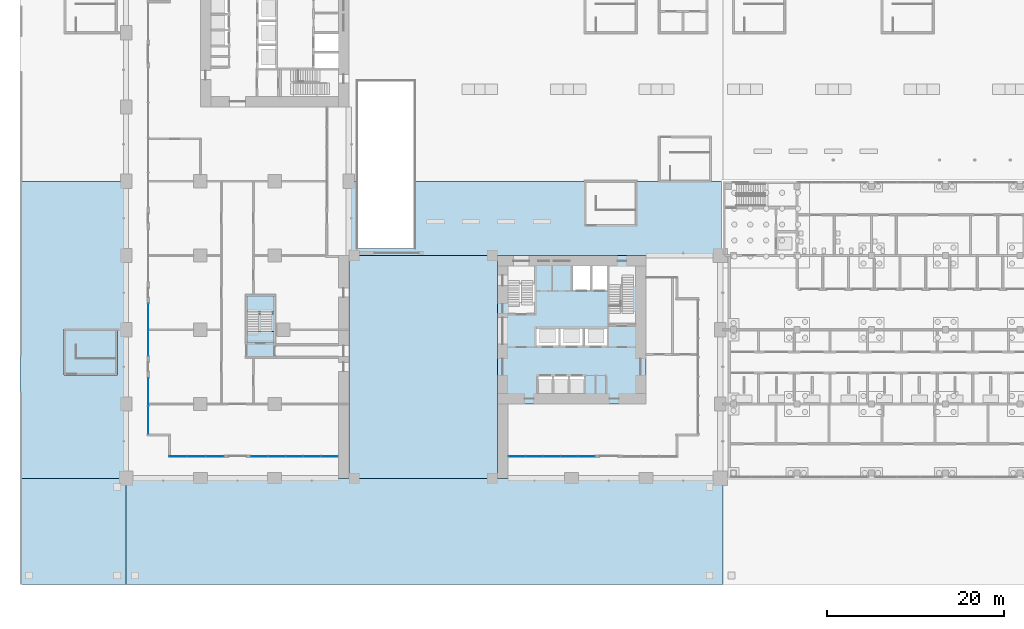
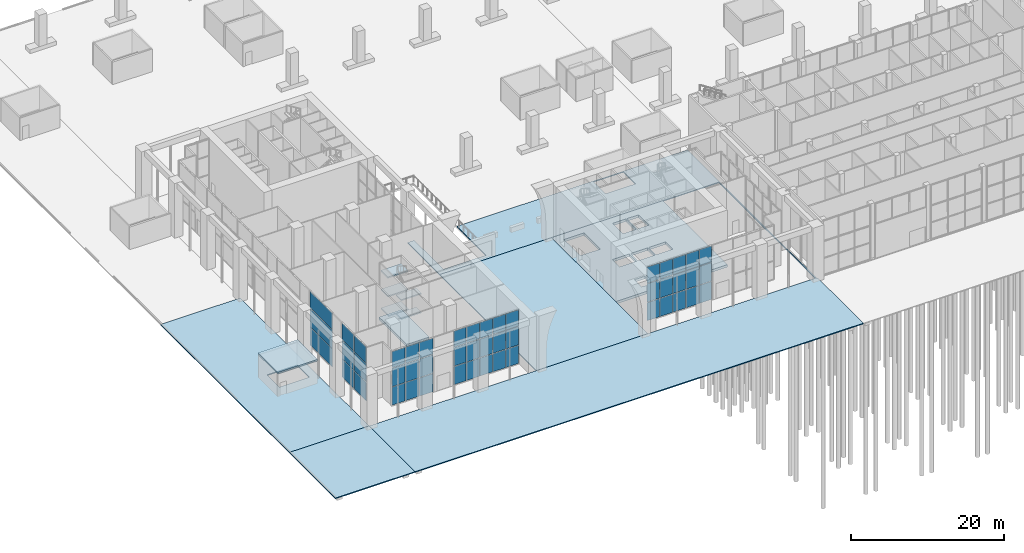
# One storey, part 13 of 46: 48 plates, 13 slabs, 6 elements without a shape of their own.
"""IFC4 building model written with IfcOpenShell, lengths in metres."""

from ifc_helpers import new_model, si_unit, direction, frame, origin, origin_2d, place, context, subcontext, project, spatial, polyline, rectangle, outline, extrude, material, layer, layer_set, type_object, element, aggregate, save


model = new_model("IFC4")

# Units and contexts
model_context = context("Model", 3, precision=1e-05, world=origin(), true_north=direction((0.0, 1.0)))
body_context = subcontext(model_context, "Body", "Model", "MODEL_VIEW")
ifc_project = project(units=[si_unit("LENGTHUNIT", "METRE"), si_unit("AREAUNIT", "SQUARE_METRE"), si_unit("VOLUMEUNIT", "CUBIC_METRE"), si_unit("PLANEANGLEUNIT", "RADIAN"), si_unit("MASSUNIT", "GRAM", prefix="KILO")], contexts=[model_context])

# Site, building, storey
site_placement = place(None, origin())
site = spatial("IfcSite", under=ifc_project, at=site_placement, CompositionType="ELEMENT")
building_placement = place(site_placement, origin())
building = spatial("IfcBuilding", under=site, at=building_placement, Name="Vermilion Gate Residences", CompositionType="ELEMENT")
storey_placement = place(building_placement, origin())
storey = spatial("IfcBuildingStorey", under=building, at=storey_placement, Name="L00", CompositionType="ELEMENT", Elevation=0.0)

# Slab
ifc_material_1 = material(Name="Concrete C30", Category="concrete")
ifc_layer_1 = layer(ifc_material_1, 0.25)
ifc_layer_set_1 = layer_set([ifc_layer_1], Name="HOUSE ROOF 250 (AMENITY)")
slab_type_1 = type_object("IfcSlabType", Name="HOUSE ROOF 250 (AMENITY)", PredefinedType="ROOF", material=ifc_layer_set_1)
slab_1_placement = place(storey_placement, frame((0.0, 0.0, 3.60009765625)))
element("IfcSlab", 1, at=slab_1_placement, inside=storey, type_object=slab_type_1, Name="House roof 1", PredefinedType="ROOF", context=body_context, shape_type="SweptSolid", body=[
    extrude(outline(polyline([(-1.0, 11.699951171875), (-7.0, 11.699951171875), (-7.0, 16.89990234375), (-1.0, 16.89990234375), (-1.0, 11.699951171875)])), origin(), (0.0, 0.0, 1.0), 0.25),
])

# Curtain wall, plates
ifc_material_2 = material(Name="Aluminium and glass", Category="aluminium")
curtain_wall_type_1 = type_object("IfcCurtainWallType", Name="LOBBY ENTRANCE GLAZING CURTAIN WALL", PredefinedType="NOTDEFINED", material=ifc_material_2)
curtain_wall_1_placement = place(storey_placement, origin())
curtain_wall_1 = element("IfcCurtainWall", 2, at=curtain_wall_1_placement, inside=storey, type_object=curtain_wall_type_1, Name="Lobby Entrance Glazing 60", PredefinedType="NOTDEFINED")
ifc_material_3 = material(Name="Low-iron laminated glass", Category="glass")
ifc_layer_2 = layer(ifc_material_3, 0.035888671875)
ifc_layer_set_2 = layer_set([ifc_layer_2], Name="LOBBY ENTRANCE GLAZING GLASS PANEL 36")
plate_type_1 = type_object("IfcPlateType", Name="LOBBY ENTRANCE GLAZING GLASS PANEL 36", PredefinedType="CURTAIN_PANEL", material=ifc_layer_set_2)
plate_1_placement = place(storey_placement, frame((5.8701171875, 2.5, 0.080078125), z_axis=(0.0, 0.0, 1.0), x_axis=(1.0, 0.0, 0.0)))
plate_1 = element("IfcPlate", 3, at=plate_1_placement, type_object=plate_type_1, Name="ECW5 panel 1.1", PredefinedType="CURTAIN_PANEL", context=body_context, shape_type="SweptSolid", body=[
    extrude(rectangle(XDim=1.97998046875, YDim=0.035888671875, at=origin_2d()), origin(), (0.0, 0.0, 1.0), 2.8798828125),
])
plate_2_placement = place(storey_placement, frame((5.8701171875, 2.5, 3.0400390625), z_axis=(0.0, 0.0, 1.0), x_axis=(1.0, 0.0, 0.0)))
plate_2 = element("IfcPlate", 4, at=plate_2_placement, type_object=plate_type_1, Name="ECW5 panel 1.2", PredefinedType="CURTAIN_PANEL", context=body_context, shape_type="SweptSolid", body=[
    extrude(rectangle(XDim=1.97998046875, YDim=0.035888671875, at=origin_2d()), origin(), (0.0, 0.0, 1.0), 2.919921875),
])
plate_3_placement = place(storey_placement, frame((5.8701171875, 2.5, 6.0400390625), z_axis=(0.0, 0.0, 1.0), x_axis=(1.0, 0.0, 0.0)))
plate_3 = element("IfcPlate", 5, at=plate_3_placement, type_object=plate_type_1, Name="ECW5 panel 1.3", PredefinedType="CURTAIN_PANEL", context=body_context, shape_type="SweptSolid", body=[
    extrude(rectangle(XDim=1.97998046875, YDim=0.035888671875, at=origin_2d()), origin(), (0.0, 0.0, 1.0), 2.580078125),
])
plate_4_placement = place(storey_placement, frame((7.949951171875, 2.5, 0.080078125), z_axis=(0.0, 0.0, 1.0), x_axis=(1.0, 0.0, 0.0)))
plate_4 = element("IfcPlate", 6, at=plate_4_placement, type_object=plate_type_1, Name="ECW5 panel 2.1", PredefinedType="CURTAIN_PANEL", context=body_context, shape_type="SweptSolid", body=[
    extrude(rectangle(XDim=2.02001953125, YDim=0.035888671875, at=origin_2d()), origin(), (0.0, 0.0, 1.0), 2.8798828125),
])
plate_5_placement = place(storey_placement, frame((7.949951171875, 2.5, 3.0400390625), z_axis=(0.0, 0.0, 1.0), x_axis=(1.0, 0.0, 0.0)))
plate_5 = element("IfcPlate", 7, at=plate_5_placement, type_object=plate_type_1, Name="ECW5 panel 2.2", PredefinedType="CURTAIN_PANEL", context=body_context, shape_type="SweptSolid", body=[
    extrude(rectangle(XDim=2.02001953125, YDim=0.035888671875, at=origin_2d()), origin(), (0.0, 0.0, 1.0), 2.919921875),
])
plate_6_placement = place(storey_placement, frame((7.949951171875, 2.5, 6.0400390625), z_axis=(0.0, 0.0, 1.0), x_axis=(1.0, 0.0, 0.0)))
plate_6 = element("IfcPlate", 8, at=plate_6_placement, type_object=plate_type_1, Name="ECW5 panel 2.3", PredefinedType="CURTAIN_PANEL", context=body_context, shape_type="SweptSolid", body=[
    extrude(rectangle(XDim=2.02001953125, YDim=0.035888671875, at=origin_2d()), origin(), (0.0, 0.0, 1.0), 2.580078125),
])
plate_7_placement = place(storey_placement, frame((10.030029296875, 2.5, 0.080078125), z_axis=(0.0, 0.0, 1.0), x_axis=(1.0, 0.0, 0.0)))
plate_7 = element("IfcPlate", 9, at=plate_7_placement, type_object=plate_type_1, Name="ECW5 panel 3.1", PredefinedType="CURTAIN_PANEL", context=body_context, shape_type="SweptSolid", body=[
    extrude(rectangle(XDim=1.97998046875, YDim=0.035888671875, at=origin_2d()), origin(), (0.0, 0.0, 1.0), 2.8798828125),
])
plate_8_placement = place(storey_placement, frame((10.030029296875, 2.5, 3.0400390625), z_axis=(0.0, 0.0, 1.0), x_axis=(1.0, 0.0, 0.0)))
plate_8 = element("IfcPlate", 10, at=plate_8_placement, type_object=plate_type_1, Name="ECW5 panel 3.2", PredefinedType="CURTAIN_PANEL", context=body_context, shape_type="SweptSolid", body=[
    extrude(rectangle(XDim=1.97998046875, YDim=0.035888671875, at=origin_2d()), origin(), (0.0, 0.0, 1.0), 2.919921875),
])
plate_9_placement = place(storey_placement, frame((10.030029296875, 2.5, 6.0400390625), z_axis=(0.0, 0.0, 1.0), x_axis=(1.0, 0.0, 0.0)))
plate_9 = element("IfcPlate", 11, at=plate_9_placement, type_object=plate_type_1, Name="ECW5 panel 3.3", PredefinedType="CURTAIN_PANEL", context=body_context, shape_type="SweptSolid", body=[
    extrude(rectangle(XDim=1.97998046875, YDim=0.035888671875, at=origin_2d()), origin(), (0.0, 0.0, 1.0), 2.580078125),
])
aggregate(curtain_wall_1, [plate_1, plate_2, plate_3, plate_4, plate_5, plate_6, plate_7, plate_8, plate_9])

curtain_wall_2_placement = place(storey_placement, origin())
curtain_wall_2 = element("IfcCurtainWall", 12, at=curtain_wall_2_placement, inside=storey, type_object=curtain_wall_type_1, Name="Lobby Entrance Glazing 62", PredefinedType="NOTDEFINED")
plate_10_placement = place(storey_placement, frame((15.110107421875, 2.5, 0.080078125), z_axis=(0.0, 0.0, 1.0), x_axis=(1.0, 0.0, 0.0)))
plate_10 = element("IfcPlate", 13, at=plate_10_placement, type_object=plate_type_1, Name="ECW5 panel 1.1", PredefinedType="CURTAIN_PANEL", context=body_context, shape_type="SweptSolid", body=[
    extrude(rectangle(XDim=1.860107421875, YDim=0.035888671875, at=origin_2d()), origin(), (0.0, 0.0, 1.0), 2.8798828125),
])
plate_11_placement = place(storey_placement, frame((15.110107421875, 2.5, 3.0400390625), z_axis=(0.0, 0.0, 1.0), x_axis=(1.0, 0.0, 0.0)))
plate_11 = element("IfcPlate", 14, at=plate_11_placement, type_object=plate_type_1, Name="ECW5 panel 1.2", PredefinedType="CURTAIN_PANEL", context=body_context, shape_type="SweptSolid", body=[
    extrude(rectangle(XDim=1.860107421875, YDim=0.035888671875, at=origin_2d()), origin(), (0.0, 0.0, 1.0), 2.919921875),
])
plate_12_placement = place(storey_placement, frame((15.110107421875, 2.5, 6.0400390625), z_axis=(0.0, 0.0, 1.0), x_axis=(1.0, 0.0, 0.0)))
plate_12 = element("IfcPlate", 15, at=plate_12_placement, type_object=plate_type_1, Name="ECW5 panel 1.3", PredefinedType="CURTAIN_PANEL", context=body_context, shape_type="SweptSolid", body=[
    extrude(rectangle(XDim=1.860107421875, YDim=0.035888671875, at=origin_2d()), origin(), (0.0, 0.0, 1.0), 2.580078125),
])
plate_13_placement = place(storey_placement, frame((17.070068359375, 2.5, 0.080078125), z_axis=(0.0, 0.0, 1.0), x_axis=(1.0, 0.0, 0.0)))
plate_13 = element("IfcPlate", 16, at=plate_13_placement, type_object=plate_type_1, Name="ECW5 panel 2.1", PredefinedType="CURTAIN_PANEL", context=body_context, shape_type="SweptSolid", body=[
    extrude(rectangle(XDim=1.89990234375, YDim=0.035888671875, at=origin_2d()), origin(), (0.0, 0.0, 1.0), 2.8798828125),
])
plate_14_placement = place(storey_placement, frame((17.070068359375, 2.5, 3.0400390625), z_axis=(0.0, 0.0, 1.0), x_axis=(1.0, 0.0, 0.0)))
plate_14 = element("IfcPlate", 17, at=plate_14_placement, type_object=plate_type_1, Name="ECW5 panel 2.2", PredefinedType="CURTAIN_PANEL", context=body_context, shape_type="SweptSolid", body=[
    extrude(rectangle(XDim=1.89990234375, YDim=0.035888671875, at=origin_2d()), origin(), (0.0, 0.0, 1.0), 2.919921875),
])
plate_15_placement = place(storey_placement, frame((17.070068359375, 2.5, 6.0400390625), z_axis=(0.0, 0.0, 1.0), x_axis=(1.0, 0.0, 0.0)))
plate_15 = element("IfcPlate", 18, at=plate_15_placement, type_object=plate_type_1, Name="ECW5 panel 2.3", PredefinedType="CURTAIN_PANEL", context=body_context, shape_type="SweptSolid", body=[
    extrude(rectangle(XDim=1.89990234375, YDim=0.035888671875, at=origin_2d()), origin(), (0.0, 0.0, 1.0), 2.580078125),
])
plate_16_placement = place(storey_placement, frame((19.050048828125, 2.5, 0.080078125), z_axis=(0.0, 0.0, 1.0), x_axis=(1.0, 0.0, 0.0)))
plate_16 = element("IfcPlate", 19, at=plate_16_placement, type_object=plate_type_1, Name="ECW5 panel 3.1", PredefinedType="CURTAIN_PANEL", context=body_context, shape_type="SweptSolid", body=[
    extrude(rectangle(XDim=1.89990234375, YDim=0.035888671875, at=origin_2d()), origin(), (0.0, 0.0, 1.0), 2.8798828125),
])
plate_17_placement = place(storey_placement, frame((19.050048828125, 2.5, 3.0400390625), z_axis=(0.0, 0.0, 1.0), x_axis=(1.0, 0.0, 0.0)))
plate_17 = element("IfcPlate", 20, at=plate_17_placement, type_object=plate_type_1, Name="ECW5 panel 3.2", PredefinedType="CURTAIN_PANEL", context=body_context, shape_type="SweptSolid", body=[
    extrude(rectangle(XDim=1.89990234375, YDim=0.035888671875, at=origin_2d()), origin(), (0.0, 0.0, 1.0), 2.919921875),
])
plate_18_placement = place(storey_placement, frame((19.050048828125, 2.5, 6.0400390625), z_axis=(0.0, 0.0, 1.0), x_axis=(1.0, 0.0, 0.0)))
plate_18 = element("IfcPlate", 21, at=plate_18_placement, type_object=plate_type_1, Name="ECW5 panel 3.3", PredefinedType="CURTAIN_PANEL", context=body_context, shape_type="SweptSolid", body=[
    extrude(rectangle(XDim=1.89990234375, YDim=0.035888671875, at=origin_2d()), origin(), (0.0, 0.0, 1.0), 2.580078125),
])
plate_19_placement = place(storey_placement, frame((21.030029296875, 2.5, 0.080078125), z_axis=(0.0, 0.0, 1.0), x_axis=(1.0, 0.0, 0.0)))
plate_19 = element("IfcPlate", 22, at=plate_19_placement, type_object=plate_type_1, Name="ECW5 panel 4.1", PredefinedType="CURTAIN_PANEL", context=body_context, shape_type="SweptSolid", body=[
    extrude(rectangle(XDim=1.89990234375, YDim=0.035888671875, at=origin_2d()), origin(), (0.0, 0.0, 1.0), 2.8798828125),
])
plate_20_placement = place(storey_placement, frame((21.030029296875, 2.5, 3.0400390625), z_axis=(0.0, 0.0, 1.0), x_axis=(1.0, 0.0, 0.0)))
plate_20 = element("IfcPlate", 23, at=plate_20_placement, type_object=plate_type_1, Name="ECW5 panel 4.2", PredefinedType="CURTAIN_PANEL", context=body_context, shape_type="SweptSolid", body=[
    extrude(rectangle(XDim=1.89990234375, YDim=0.035888671875, at=origin_2d()), origin(), (0.0, 0.0, 1.0), 2.919921875),
])
plate_21_placement = place(storey_placement, frame((21.030029296875, 2.5, 6.0400390625), z_axis=(0.0, 0.0, 1.0), x_axis=(1.0, 0.0, 0.0)))
plate_21 = element("IfcPlate", 24, at=plate_21_placement, type_object=plate_type_1, Name="ECW5 panel 4.3", PredefinedType="CURTAIN_PANEL", context=body_context, shape_type="SweptSolid", body=[
    extrude(rectangle(XDim=1.89990234375, YDim=0.035888671875, at=origin_2d()), origin(), (0.0, 0.0, 1.0), 2.580078125),
])
plate_22_placement = place(storey_placement, frame((22.989990234375, 2.5, 0.080078125), z_axis=(0.0, 0.0, 1.0), x_axis=(1.0, 0.0, 0.0)))
plate_22 = element("IfcPlate", 25, at=plate_22_placement, type_object=plate_type_1, Name="ECW5 panel 5.1", PredefinedType="CURTAIN_PANEL", context=body_context, shape_type="SweptSolid", body=[
    extrude(rectangle(XDim=1.860107421875, YDim=0.035888671875, at=origin_2d()), origin(), (0.0, 0.0, 1.0), 2.8798828125),
])
plate_23_placement = place(storey_placement, frame((22.989990234375, 2.5, 3.0400390625), z_axis=(0.0, 0.0, 1.0), x_axis=(1.0, 0.0, 0.0)))
plate_23 = element("IfcPlate", 26, at=plate_23_placement, type_object=plate_type_1, Name="ECW5 panel 5.2", PredefinedType="CURTAIN_PANEL", context=body_context, shape_type="SweptSolid", body=[
    extrude(rectangle(XDim=1.860107421875, YDim=0.035888671875, at=origin_2d()), origin(), (0.0, 0.0, 1.0), 2.919921875),
])
plate_24_placement = place(storey_placement, frame((22.989990234375, 2.5, 6.0400390625), z_axis=(0.0, 0.0, 1.0), x_axis=(1.0, 0.0, 0.0)))
plate_24 = element("IfcPlate", 27, at=plate_24_placement, type_object=plate_type_1, Name="ECW5 panel 5.3", PredefinedType="CURTAIN_PANEL", context=body_context, shape_type="SweptSolid", body=[
    extrude(rectangle(XDim=1.860107421875, YDim=0.035888671875, at=origin_2d()), origin(), (0.0, 0.0, 1.0), 2.580078125),
])
aggregate(curtain_wall_2, [plate_10, plate_11, plate_12, plate_13, plate_14, plate_15, plate_16, plate_17, plate_18, plate_19, plate_20, plate_21, plate_22, plate_23, plate_24])

curtain_wall_3_placement = place(storey_placement, origin())
curtain_wall_3 = element("IfcCurtainWall", 28, at=curtain_wall_3_placement, inside=storey, type_object=curtain_wall_type_1, Name="Lobby Entrance Glazing 90", PredefinedType="NOTDEFINED")
plate_25_placement = place(storey_placement, frame((44.2099609375, 2.5, 0.080078125), z_axis=(0.0, 0.0, 1.0), x_axis=(1.0, 0.0, 0.0)))
plate_25 = element("IfcPlate", 29, at=plate_25_placement, type_object=plate_type_1, Name="ECW5 panel 1.1", PredefinedType="CURTAIN_PANEL", context=body_context, shape_type="SweptSolid", body=[
    extrude(rectangle(XDim=1.860107421875, YDim=0.035888671875, at=origin_2d()), origin(), (0.0, 0.0, 1.0), 2.8798828125),
])
plate_26_placement = place(storey_placement, frame((44.2099609375, 2.5, 3.0400390625), z_axis=(0.0, 0.0, 1.0), x_axis=(1.0, 0.0, 0.0)))
plate_26 = element("IfcPlate", 30, at=plate_26_placement, type_object=plate_type_1, Name="ECW5 panel 1.2", PredefinedType="CURTAIN_PANEL", context=body_context, shape_type="SweptSolid", body=[
    extrude(rectangle(XDim=1.860107421875, YDim=0.035888671875, at=origin_2d()), origin(), (0.0, 0.0, 1.0), 2.919921875),
])
plate_27_placement = place(storey_placement, frame((44.2099609375, 2.5, 6.0400390625), z_axis=(0.0, 0.0, 1.0), x_axis=(1.0, 0.0, 0.0)))
plate_27 = element("IfcPlate", 31, at=plate_27_placement, type_object=plate_type_1, Name="ECW5 panel 1.3", PredefinedType="CURTAIN_PANEL", context=body_context, shape_type="SweptSolid", body=[
    extrude(rectangle(XDim=1.860107421875, YDim=0.035888671875, at=origin_2d()), origin(), (0.0, 0.0, 1.0), 2.580078125),
])
plate_28_placement = place(storey_placement, frame((46.169921875, 2.5, 0.080078125), z_axis=(0.0, 0.0, 1.0), x_axis=(1.0, 0.0, 0.0)))
plate_28 = element("IfcPlate", 32, at=plate_28_placement, type_object=plate_type_1, Name="ECW5 panel 2.1", PredefinedType="CURTAIN_PANEL", context=body_context, shape_type="SweptSolid", body=[
    extrude(rectangle(XDim=1.89990234375, YDim=0.035888671875, at=origin_2d()), origin(), (0.0, 0.0, 1.0), 2.8798828125),
])
plate_29_placement = place(storey_placement, frame((46.169921875, 2.5, 3.0400390625), z_axis=(0.0, 0.0, 1.0), x_axis=(1.0, 0.0, 0.0)))
plate_29 = element("IfcPlate", 33, at=plate_29_placement, type_object=plate_type_1, Name="ECW5 panel 2.2", PredefinedType="CURTAIN_PANEL", context=body_context, shape_type="SweptSolid", body=[
    extrude(rectangle(XDim=1.89990234375, YDim=0.035888671875, at=origin_2d()), origin(), (0.0, 0.0, 1.0), 2.919921875),
])
plate_30_placement = place(storey_placement, frame((46.169921875, 2.5, 6.0400390625), z_axis=(0.0, 0.0, 1.0), x_axis=(1.0, 0.0, 0.0)))
plate_30 = element("IfcPlate", 34, at=plate_30_placement, type_object=plate_type_1, Name="ECW5 panel 2.3", PredefinedType="CURTAIN_PANEL", context=body_context, shape_type="SweptSolid", body=[
    extrude(rectangle(XDim=1.89990234375, YDim=0.035888671875, at=origin_2d()), origin(), (0.0, 0.0, 1.0), 2.580078125),
])
plate_31_placement = place(storey_placement, frame((48.14990234375, 2.5, 0.080078125), z_axis=(0.0, 0.0, 1.0), x_axis=(1.0, 0.0, 0.0)))
plate_31 = element("IfcPlate", 35, at=plate_31_placement, type_object=plate_type_1, Name="ECW5 panel 3.1", PredefinedType="CURTAIN_PANEL", context=body_context, shape_type="SweptSolid", body=[
    extrude(rectangle(XDim=1.89990234375, YDim=0.035888671875, at=origin_2d()), origin(), (0.0, 0.0, 1.0), 2.8798828125),
])
plate_32_placement = place(storey_placement, frame((48.14990234375, 2.5, 3.0400390625), z_axis=(0.0, 0.0, 1.0), x_axis=(1.0, 0.0, 0.0)))
plate_32 = element("IfcPlate", 36, at=plate_32_placement, type_object=plate_type_1, Name="ECW5 panel 3.2", PredefinedType="CURTAIN_PANEL", context=body_context, shape_type="SweptSolid", body=[
    extrude(rectangle(XDim=1.89990234375, YDim=0.035888671875, at=origin_2d()), origin(), (0.0, 0.0, 1.0), 2.919921875),
])
plate_33_placement = place(storey_placement, frame((48.14990234375, 2.5, 6.0400390625), z_axis=(0.0, 0.0, 1.0), x_axis=(1.0, 0.0, 0.0)))
plate_33 = element("IfcPlate", 37, at=plate_33_placement, type_object=plate_type_1, Name="ECW5 panel 3.3", PredefinedType="CURTAIN_PANEL", context=body_context, shape_type="SweptSolid", body=[
    extrude(rectangle(XDim=1.89990234375, YDim=0.035888671875, at=origin_2d()), origin(), (0.0, 0.0, 1.0), 2.580078125),
])
plate_34_placement = place(storey_placement, frame((50.1298828125, 2.5, 0.080078125), z_axis=(0.0, 0.0, 1.0), x_axis=(1.0, 0.0, 0.0)))
plate_34 = element("IfcPlate", 38, at=plate_34_placement, type_object=plate_type_1, Name="ECW5 panel 4.1", PredefinedType="CURTAIN_PANEL", context=body_context, shape_type="SweptSolid", body=[
    extrude(rectangle(XDim=1.89990234375, YDim=0.035888671875, at=origin_2d()), origin(), (0.0, 0.0, 1.0), 2.8798828125),
])
plate_35_placement = place(storey_placement, frame((50.1298828125, 2.5, 3.0400390625), z_axis=(0.0, 0.0, 1.0), x_axis=(1.0, 0.0, 0.0)))
plate_35 = element("IfcPlate", 39, at=plate_35_placement, type_object=plate_type_1, Name="ECW5 panel 4.2", PredefinedType="CURTAIN_PANEL", context=body_context, shape_type="SweptSolid", body=[
    extrude(rectangle(XDim=1.89990234375, YDim=0.035888671875, at=origin_2d()), origin(), (0.0, 0.0, 1.0), 2.919921875),
])
plate_36_placement = place(storey_placement, frame((50.1298828125, 2.5, 6.0400390625), z_axis=(0.0, 0.0, 1.0), x_axis=(1.0, 0.0, 0.0)))
plate_36 = element("IfcPlate", 40, at=plate_36_placement, type_object=plate_type_1, Name="ECW5 panel 4.3", PredefinedType="CURTAIN_PANEL", context=body_context, shape_type="SweptSolid", body=[
    extrude(rectangle(XDim=1.89990234375, YDim=0.035888671875, at=origin_2d()), origin(), (0.0, 0.0, 1.0), 2.580078125),
])
plate_37_placement = place(storey_placement, frame((52.090087890625, 2.5, 0.080078125), z_axis=(0.0, 0.0, 1.0), x_axis=(1.0, 0.0, 0.0)))
plate_37 = element("IfcPlate", 41, at=plate_37_placement, type_object=plate_type_1, Name="ECW5 panel 5.1", PredefinedType="CURTAIN_PANEL", context=body_context, shape_type="SweptSolid", body=[
    extrude(rectangle(XDim=1.860107421875, YDim=0.035888671875, at=origin_2d()), origin(), (0.0, 0.0, 1.0), 2.8798828125),
])
plate_38_placement = place(storey_placement, frame((52.090087890625, 2.5, 3.0400390625), z_axis=(0.0, 0.0, 1.0), x_axis=(1.0, 0.0, 0.0)))
plate_38 = element("IfcPlate", 42, at=plate_38_placement, type_object=plate_type_1, Name="ECW5 panel 5.2", PredefinedType="CURTAIN_PANEL", context=body_context, shape_type="SweptSolid", body=[
    extrude(rectangle(XDim=1.860107421875, YDim=0.035888671875, at=origin_2d()), origin(), (0.0, 0.0, 1.0), 2.919921875),
])
plate_39_placement = place(storey_placement, frame((52.090087890625, 2.5, 6.0400390625), z_axis=(0.0, 0.0, 1.0), x_axis=(1.0, 0.0, 0.0)))
plate_39 = element("IfcPlate", 43, at=plate_39_placement, type_object=plate_type_1, Name="ECW5 panel 5.3", PredefinedType="CURTAIN_PANEL", context=body_context, shape_type="SweptSolid", body=[
    extrude(rectangle(XDim=1.860107421875, YDim=0.035888671875, at=origin_2d()), origin(), (0.0, 0.0, 1.0), 2.580078125),
])
aggregate(curtain_wall_3, [plate_25, plate_26, plate_27, plate_28, plate_29, plate_30, plate_31, plate_32, plate_33, plate_34, plate_35, plate_36, plate_37, plate_38, plate_39])

# Slabs
ifc_material_4 = material(Name="Concrete C35", Category="concrete")
ifc_layer_3 = layer(ifc_material_4, 0.14990234375)
ifc_layer_set_3 = layer_set([ifc_layer_3], Name="PLAZA PAVING 150 C35 (MARKET HALL)")
slab_type_2 = type_object("IfcSlabType", Name="PLAZA PAVING 150 C35 (MARKET HALL)", PredefinedType="USERDEFINED", material=ifc_layer_set_3)
slab_2_placement = place(storey_placement, frame((0.0, 0.0, -0.14990234375)))
element("IfcSlab", 44, at=slab_2_placement, inside=storey, type_object=slab_type_2, Name="Plaza paving 1 (south-west street apron)", ObjectType="PAVING", PredefinedType="USERDEFINED", context=body_context, shape_type="SweptSolid", body=[
    extrude(outline(polyline([(-12.0, -12.0), (0.0, -12.0), (0.0, 0.0), (-12.0, 0.0), (-12.0, -12.0)])), origin(), (0.0, 0.0, 1.0), 0.14990234375),
])
slab_3_placement = place(storey_placement, frame((0.0, 0.0, -0.14990234375)))
element("IfcSlab", 45, at=slab_3_placement, inside=storey, type_object=slab_type_2, Name="Plaza paving 2 (south street apron)", ObjectType="PAVING", PredefinedType="USERDEFINED", context=body_context, shape_type="SweptSolid", body=[
    extrude(outline(polyline([(0.0, -12.0), (67.5, -12.0), (67.5, -0.14990234375), (67.35009765625, -0.14990234375), (67.35009765625, 0.0), (67.199951171875, 0.0), (58.800048828125, 0.0), (50.39990234375, 0.0), (42.0, 0.0), (25.199951171875, 0.0), (16.800048828125, 0.0), (8.39990234375, 0.0), (0.0, 0.0), (0.0, -12.0)])), origin(), (0.0, 0.0, 1.0), 0.14990234375),
])
slab_4_placement = place(storey_placement, frame((0.0, 0.0, -0.14990234375)))
element("IfcSlab", 46, at=slab_4_placement, inside=storey, type_object=slab_type_2, Name="Plaza paving 5 (west forecourt)", ObjectType="PAVING", PredefinedType="USERDEFINED", context=body_context, shape_type="SweptSolid", body=[
    extrude(outline(polyline([(-12.0, 33.60009765625), (-12.0, 0.0), (0.0, 0.0), (0.0, 8.39990234375), (0.0, 16.800048828125), (0.0, 25.199951171875), (0.0, 33.60009765625), (-12.0, 33.60009765625)]), holes=[polyline([(-5.699951171875, 16.699951171875), (-1.199951171875, 16.699951171875), (-1.199951171875, 13.5), (-5.699951171875, 13.5), (-5.699951171875, 16.699951171875)])]), origin(), (0.0, 0.0, 1.0), 0.14990234375),
])
slab_5_placement = place(storey_placement, frame((0.0, 0.0, -0.14990234375)))
element("IfcSlab", 47, at=slab_5_placement, inside=storey, type_object=slab_type_2, Name="Plaza paving 6 (tower court and gate floor)", ObjectType="PAVING", PredefinedType="USERDEFINED", context=body_context, shape_type="SweptSolid", body=[
    extrude(outline(polyline([(67.35009765625, 0.0), (67.35009765625, 33.60009765625), (32.60009765625, 33.60009765625), (32.60009765625, 26.0), (26.199951171875, 26.0), (26.199951171875, 33.60009765625), (25.199951171875, 33.60009765625), (25.199951171875, 25.199951171875), (33.60009765625, 25.199951171875), (42.0, 25.199951171875), (50.39990234375, 25.199951171875), (58.800048828125, 25.199951171875), (67.199951171875, 25.199951171875), (67.199951171875, 16.800048828125), (67.199951171875, 8.39990234375), (67.199951171875, 0.0), (67.35009765625, 0.0)]), holes=[polyline([(53.10009765625, 33.5), (57.60009765625, 33.5), (57.60009765625, 30.300048828125), (53.10009765625, 30.300048828125), (53.10009765625, 33.5)])]), origin(), (0.0, 0.0, 1.0), 0.14990234375),
])
slab_6_placement = place(storey_placement, frame((0.0, 0.0, -0.14990234375)))
element("IfcSlab", 48, at=slab_6_placement, inside=storey, type_object=slab_type_2, Name="Plaza paving 7 (tower court and gate floor)", ObjectType="PAVING", PredefinedType="USERDEFINED", context=body_context, shape_type="SweptSolid", body=[
    extrude(outline(polyline([(25.199951171875, 25.199951171875), (25.199951171875, 0.0), (42.0, 0.0), (42.0, 25.199951171875), (25.199951171875, 25.199951171875)])), origin(), (0.0, 0.0, 1.0), 0.14990234375),
])

# Curtain wall, plates
ifc_material_5 = material(Name="Aluminium and glass", Category="aluminium")
curtain_wall_type_2 = type_object("IfcCurtainWallType", Name="PODIUM SHOPFRONT CURTAIN WALL", PredefinedType="NOTDEFINED", material=ifc_material_5)
curtain_wall_4_placement = place(storey_placement, origin())
curtain_wall_4 = element("IfcCurtainWall", 49, at=curtain_wall_4_placement, inside=storey, type_object=curtain_wall_type_2, Name="Podium Shopfront 36", PredefinedType="NOTDEFINED")
ifc_material_6 = material(Name="Clear laminated glass", Category="glass")
ifc_layer_4 = layer(ifc_material_6, 0.031982421875)
ifc_layer_set_4 = layer_set([ifc_layer_4], Name="PODIUM SHOPFRONT GLASS PANEL 32")
plate_type_2 = type_object("IfcPlateType", Name="PODIUM SHOPFRONT GLASS PANEL 32", PredefinedType="CURTAIN_PANEL", material=ifc_layer_set_4)
plate_40_placement = place(storey_placement, frame((2.5, 16.800048828125, 0.06005859375), z_axis=(0.0, 0.0, 1.0), x_axis=(0.0, -1.0, 0.0)))
plate_40 = element("IfcPlate", 50, at=plate_40_placement, type_object=plate_type_2, Name="ECW1 panel 1.1", PredefinedType="CURTAIN_PANEL", context=body_context, shape_type="SweptSolid", body=[
    extrude(rectangle(XDim=5.8798828125, YDim=0.031982421875, at=origin_2d()), origin(), (0.0, 0.0, 1.0), 2.909912109375),
])
plate_41_placement = place(storey_placement, frame((2.5, 16.800048828125, 3.030029296875), z_axis=(0.0, 0.0, 1.0), x_axis=(0.0, -1.0, 0.0)))
plate_41 = element("IfcPlate", 51, at=plate_41_placement, type_object=plate_type_2, Name="ECW1 panel 1.2", PredefinedType="CURTAIN_PANEL", context=body_context, shape_type="SweptSolid", body=[
    extrude(rectangle(XDim=5.8798828125, YDim=0.031982421875, at=origin_2d()), origin(), (0.0, 0.0, 1.0), 2.93994140625),
])
plate_42_placement = place(storey_placement, frame((2.5, 16.800048828125, 6.02978515625), z_axis=(0.0, 0.0, 1.0), x_axis=(0.0, -1.0, 0.0)))
plate_42 = element("IfcPlate", 52, at=plate_42_placement, type_object=plate_type_2, Name="ECW1 panel 1.3", PredefinedType="CURTAIN_PANEL", context=body_context, shape_type="SweptSolid", body=[
    extrude(rectangle(XDim=5.8798828125, YDim=0.031982421875, at=origin_2d()), origin(), (0.0, 0.0, 1.0), 2.610107421875),
])
aggregate(curtain_wall_4, [plate_40, plate_41, plate_42])

curtain_wall_5_placement = place(storey_placement, origin())
curtain_wall_5 = element("IfcCurtainWall", 53, at=curtain_wall_5_placement, inside=storey, type_object=curtain_wall_type_2, Name="Podium Shopfront 38", PredefinedType="NOTDEFINED")
plate_43_placement = place(storey_placement, frame((2.5, 9.784912109375, 0.06005859375), z_axis=(0.0, 0.0, 1.0), x_axis=(0.0, -1.0, 0.0)))
plate_43 = element("IfcPlate", 54, at=plate_43_placement, type_object=plate_type_2, Name="ECW1 panel 1.1", PredefinedType="CURTAIN_PANEL", context=body_context, shape_type="SweptSolid", body=[
    extrude(rectangle(XDim=3.110107421875, YDim=0.031982421875, at=origin_2d()), origin(), (0.0, 0.0, 1.0), 2.909912109375),
])
plate_44_placement = place(storey_placement, frame((2.5, 9.784912109375, 3.030029296875), z_axis=(0.0, 0.0, 1.0), x_axis=(0.0, -1.0, 0.0)))
plate_44 = element("IfcPlate", 55, at=plate_44_placement, type_object=plate_type_2, Name="ECW1 panel 1.2", PredefinedType="CURTAIN_PANEL", context=body_context, shape_type="SweptSolid", body=[
    extrude(rectangle(XDim=3.110107421875, YDim=0.031982421875, at=origin_2d()), origin(), (0.0, 0.0, 1.0), 2.93994140625),
])
plate_45_placement = place(storey_placement, frame((2.5, 9.784912109375, 6.02978515625), z_axis=(0.0, 0.0, 1.0), x_axis=(0.0, -1.0, 0.0)))
plate_45 = element("IfcPlate", 56, at=plate_45_placement, type_object=plate_type_2, Name="ECW1 panel 1.3", PredefinedType="CURTAIN_PANEL", context=body_context, shape_type="SweptSolid", body=[
    extrude(rectangle(XDim=3.110107421875, YDim=0.031982421875, at=origin_2d()), origin(), (0.0, 0.0, 1.0), 2.610107421875),
])
plate_46_placement = place(storey_placement, frame((2.5, 6.614990234375, 0.06005859375), z_axis=(0.0, 0.0, 1.0), x_axis=(0.0, -1.0, 0.0)))
plate_46 = element("IfcPlate", 57, at=plate_46_placement, type_object=plate_type_2, Name="ECW1 panel 2.1", PredefinedType="CURTAIN_PANEL", context=body_context, shape_type="SweptSolid", body=[
    extrude(rectangle(XDim=3.110107421875, YDim=0.031982421875, at=origin_2d()), origin(), (0.0, 0.0, 1.0), 2.909912109375),
])
plate_47_placement = place(storey_placement, frame((2.5, 6.614990234375, 3.030029296875), z_axis=(0.0, 0.0, 1.0), x_axis=(0.0, -1.0, 0.0)))
plate_47 = element("IfcPlate", 58, at=plate_47_placement, type_object=plate_type_2, Name="ECW1 panel 2.2", PredefinedType="CURTAIN_PANEL", context=body_context, shape_type="SweptSolid", body=[
    extrude(rectangle(XDim=3.110107421875, YDim=0.031982421875, at=origin_2d()), origin(), (0.0, 0.0, 1.0), 2.93994140625),
])
plate_48_placement = place(storey_placement, frame((2.5, 6.614990234375, 6.02978515625), z_axis=(0.0, 0.0, 1.0), x_axis=(0.0, -1.0, 0.0)))
plate_48 = element("IfcPlate", 59, at=plate_48_placement, type_object=plate_type_2, Name="ECW1 panel 2.3", PredefinedType="CURTAIN_PANEL", context=body_context, shape_type="SweptSolid", body=[
    extrude(rectangle(XDim=3.110107421875, YDim=0.031982421875, at=origin_2d()), origin(), (0.0, 0.0, 1.0), 2.610107421875),
])
aggregate(curtain_wall_5, [plate_43, plate_44, plate_45, plate_46, plate_47, plate_48])

# Slabs
ifc_material_7 = material(Name="Concrete C50", Category="concrete")
ifc_layer_5 = layer(ifc_material_7, 0.39990234375)
ifc_layer_set_5 = layer_set([ifc_layer_5], Name="RC CORE FLOOR SLAB 400 C50")
slab_type_3 = type_object("IfcSlabType", Name="RC CORE FLOOR SLAB 400 C50", PredefinedType="FLOOR", material=ifc_layer_set_5)
slab_7_placement = place(storey_placement, frame((0.0, 0.0, -0.39990234375)))
element("IfcSlab", 60, at=slab_7_placement, inside=storey, type_object=slab_type_3, Name="Core floor slab A00", PredefinedType="FLOOR", context=body_context, shape_type="SweptSolid", body=[
    extrude(outline(polyline([(42.0, 8.39990234375), (58.800048828125, 8.39990234375), (58.800048828125, 25.199951171875), (42.0, 25.199951171875), (42.0, 8.39990234375)]), holes=[polyline([(46.60009765625, 11.5), (48.199951171875, 11.5), (48.199951171875, 9.60009765625), (46.60009765625, 9.60009765625), (46.60009765625, 11.5)]), polyline([(48.39990234375, 11.5), (50.0, 11.5), (50.0, 9.60009765625), (48.39990234375, 9.60009765625), (48.39990234375, 11.5)]), polyline([(50.199951171875, 11.5), (51.800048828125, 11.5), (51.800048828125, 9.60009765625), (50.199951171875, 9.60009765625), (50.199951171875, 11.5)]), polyline([(46.39990234375, 16.89990234375), (48.933349609375, 16.89990234375), (48.933349609375, 15.0), (46.39990234375, 15.0), (46.39990234375, 16.89990234375)]), polyline([(49.13330078125, 16.89990234375), (51.666748046875, 16.89990234375), (51.666748046875, 15.0), (49.13330078125, 15.0), (49.13330078125, 16.89990234375)]), polyline([(51.86669921875, 16.89990234375), (54.39990234375, 16.89990234375), (54.39990234375, 15.0), (51.86669921875, 15.0), (51.86669921875, 16.89990234375)]), polyline([(43.199951171875, 24.0), (46.199951171875, 24.0), (46.199951171875, 19.75), (43.199951171875, 19.75), (43.199951171875, 24.0)]), polyline([(52.5, 24.0), (52.5, 21.300048828125), (50.5, 21.300048828125), (50.5, 24.0), (52.5, 24.0)]), polyline([(54.39990234375, 24.0), (54.39990234375, 21.300048828125), (52.699951171875, 21.300048828125), (52.699951171875, 24.0), (54.39990234375, 24.0)])]), origin(), (0.0, 0.0, 1.0), 0.39990234375),
])
slab_8_placement = place(storey_placement, frame((0.0, 0.0, -0.39990234375)))
element("IfcSlab", 61, at=slab_8_placement, inside=storey, type_object=slab_type_3, Name="Apex stair floor slab 00", PredefinedType="FLOOR", context=body_context, shape_type="SweptSolid", body=[
    extrude(outline(polyline([(16.89990234375, 13.60009765625), (16.89990234375, 20.800048828125), (13.5, 20.800048828125), (13.5, 13.60009765625), (16.89990234375, 13.60009765625)])), origin(), (0.0, 0.0, 1.0), 0.39990234375),
])

# Stair, slabs
ifc_material_8 = material(Name="Concrete C50", Category="concrete")
stair_type = type_object("IfcStairType", Name="SPECIAL ESCAPE STAIR 1300", PredefinedType="HALF_TURN_STAIR", material=ifc_material_8)
stair_placement = place(storey_placement, origin())
stair = element("IfcStair", 62, at=stair_placement, inside=storey, type_object=stair_type, Name="Special escape stair STC1-00", PredefinedType="HALF_TURN_STAIR")
ifc_material_9 = material(Name="Concrete C50", Category="concrete")
ifc_layer_6 = layer(ifc_material_9, 0.199951171875)
ifc_layer_set_6 = layer_set([ifc_layer_6], Name="STAIR LANDING 200 C50")
slab_type_4 = type_object("IfcSlabType", Name="STAIR LANDING 200 C50", PredefinedType="LANDING", material=ifc_layer_set_6)
slab_9_placement = place(storey_placement, frame((0.0, 0.0, 1.300048828125)))
slab_9 = element("IfcSlab", 63, at=slab_9_placement, type_object=slab_type_4, Name="STC1-00 landing 1", PredefinedType="LANDING", context=body_context, shape_type="SweptSolid", body=[
    extrude(outline(polyline([(16.719970703125, 18.610107421875), (16.719970703125, 20.6201171875), (13.679931640625, 20.6201171875), (13.679931640625, 18.610107421875), (16.719970703125, 18.610107421875)])), origin(), (0.0, 0.0, 1.0), 0.199951171875),
])
slab_10_placement = place(storey_placement, frame((0.0, 0.0, 2.800048828125)))
slab_10 = element("IfcSlab", 64, at=slab_10_placement, type_object=slab_type_4, Name="STC1-00 landing 2", PredefinedType="LANDING", context=body_context, shape_type="SweptSolid", body=[
    extrude(outline(polyline([(16.719970703125, 15.330078125), (16.719970703125, 16.6298828125), (13.679931640625, 16.6298828125), (13.679931640625, 15.330078125), (16.719970703125, 15.330078125)])), origin(), (0.0, 0.0, 1.0), 0.199951171875),
])
slab_11_placement = place(storey_placement, frame((0.0, 0.0, 4.300048828125)))
slab_11 = element("IfcSlab", 65, at=slab_11_placement, type_object=slab_type_4, Name="STC1-00 landing 3", PredefinedType="LANDING", context=body_context, shape_type="SweptSolid", body=[
    extrude(outline(polyline([(16.719970703125, 18.7900390625), (16.719970703125, 20.6201171875), (13.679931640625, 20.6201171875), (13.679931640625, 18.7900390625), (16.719970703125, 18.7900390625)])), origin(), (0.0, 0.0, 1.0), 0.199951171875),
])
slab_12_placement = place(storey_placement, frame((0.0, 0.0, 5.800048828125)))
slab_12 = element("IfcSlab", 66, at=slab_12_placement, type_object=slab_type_4, Name="STC1-00 landing 4", PredefinedType="LANDING", context=body_context, shape_type="SweptSolid", body=[
    extrude(outline(polyline([(16.719970703125, 15.330078125), (16.719970703125, 16.6298828125), (13.679931640625, 16.6298828125), (13.679931640625, 15.330078125), (16.719970703125, 15.330078125)])), origin(), (0.0, 0.0, 1.0), 0.199951171875),
])
slab_13_placement = place(storey_placement, frame((0.0, 0.0, 7.300048828125)))
slab_13 = element("IfcSlab", 67, at=slab_13_placement, type_object=slab_type_4, Name="STC1-00 landing 5", PredefinedType="LANDING", context=body_context, shape_type="SweptSolid", body=[
    extrude(outline(polyline([(16.719970703125, 18.7900390625), (16.719970703125, 20.6201171875), (13.679931640625, 20.6201171875), (13.679931640625, 18.7900390625), (16.719970703125, 18.7900390625)])), origin(), (0.0, 0.0, 1.0), 0.199951171875),
])
aggregate(stair, [slab_9, slab_10, slab_11, slab_12, slab_13])

save(model, "model.ifc")
